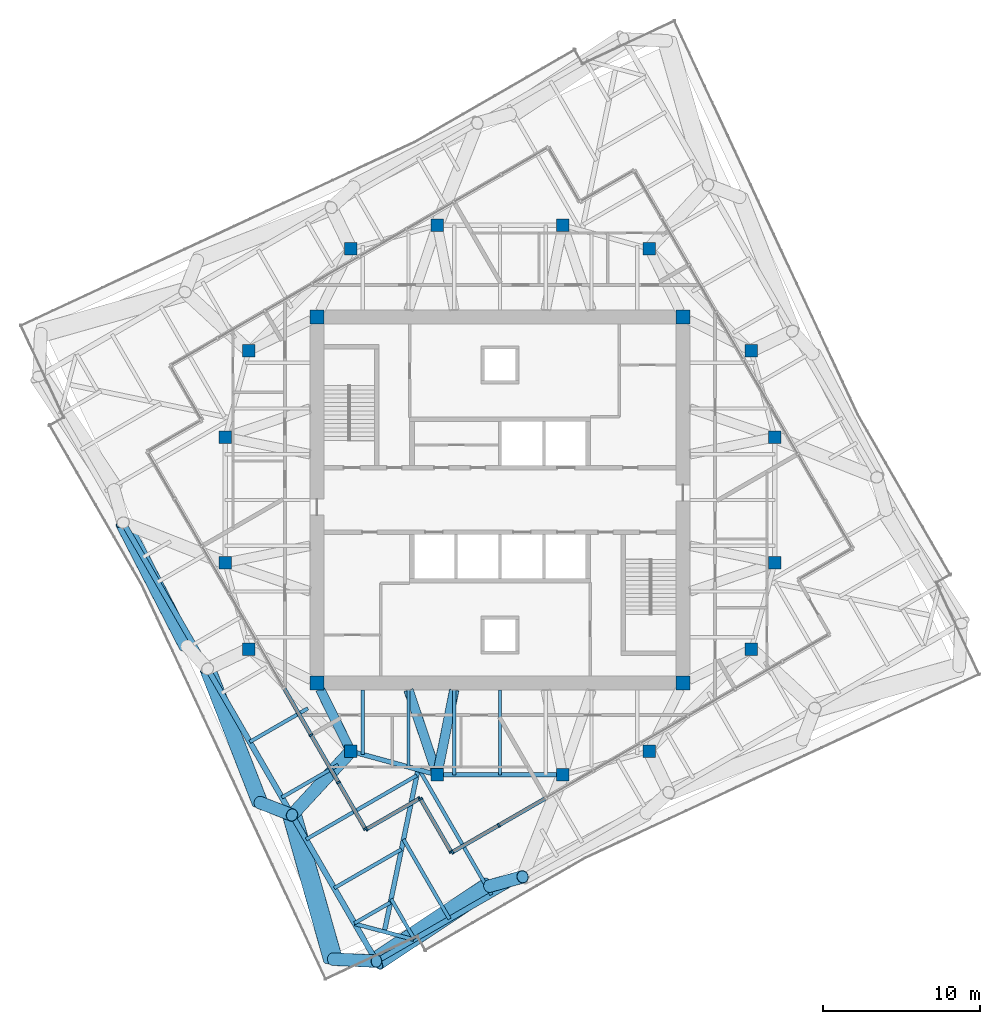
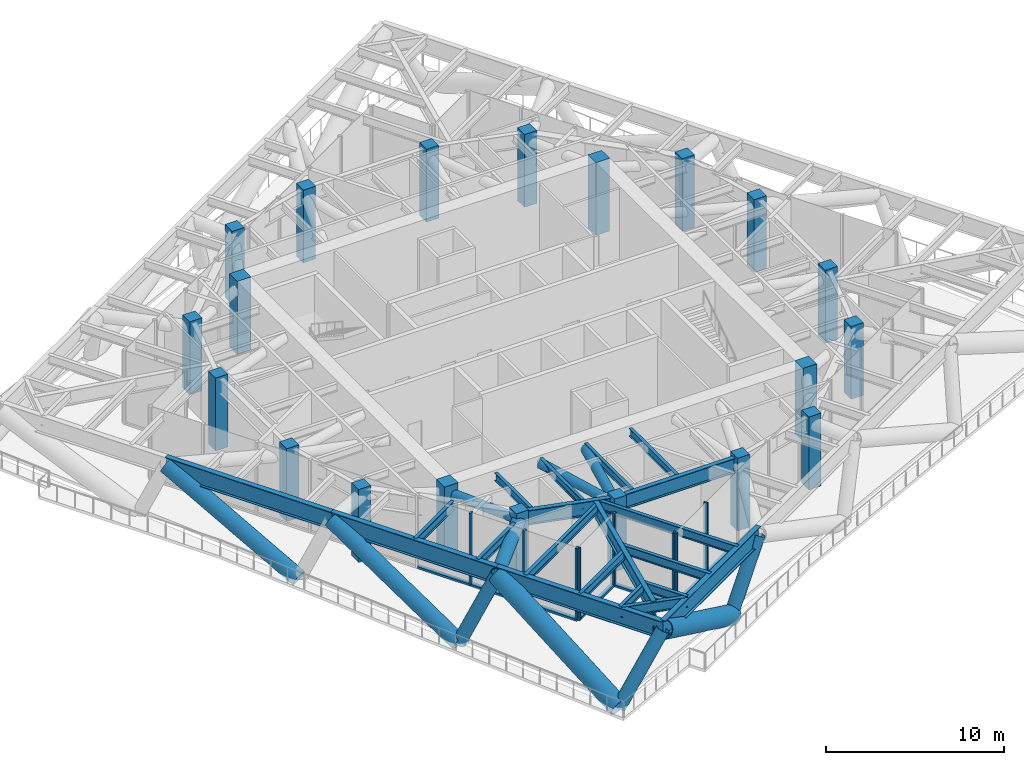
# One storey, part 1 of 12: 27 members, 20 beams, 20 columns, 4 elements without a shape of their own.
"""IFC4 building model written with IfcOpenShell, lengths in metres."""

from ifc_helpers import new_model, si_unit, direction, frame, origin, origin_2d, place, context, subcontext, project, spatial, rectangle, hollow_circle, i_section, extrude, material, material_profile, profile_set, type_object, element, aggregate, save


model = new_model("IFC4")

# Units and contexts
model_context = context("Model", 3, precision=1e-05, world=origin(), true_north=direction((0.0, 1.0)))
body_context = subcontext(model_context, "Body", "Model", "MODEL_VIEW")
ifc_project = project(units=[si_unit("LENGTHUNIT", "METRE"), si_unit("AREAUNIT", "SQUARE_METRE"), si_unit("VOLUMEUNIT", "CUBIC_METRE"), si_unit("PLANEANGLEUNIT", "RADIAN"), si_unit("MASSUNIT", "GRAM", prefix="KILO")], contexts=[model_context])

# Site, building, storey
site_placement = place(None, origin())
site = spatial("IfcSite", under=ifc_project, at=site_placement, CompositionType="ELEMENT")
building_placement = place(site_placement, origin())
building = spatial("IfcBuilding", under=site, at=building_placement, Name="Torsade Residences", CompositionType="ELEMENT")
storey_placement = place(building_placement, frame((0.0, 0.0, 203.199951171875)))
storey = spatial("IfcBuildingStorey", under=building, at=storey_placement, Name="L56", CompositionType="ELEMENT", Elevation=203.199951171875)

# Columns
ifc_material_1 = material(Name="Concrete 80 MPa", Category="concrete")
ifc_material_profile_1 = material_profile(ifc_material_1, rectangle(XDim=0.89990234375, YDim=0.89990234375, at=origin_2d()), Name="RC 900x900")
ifc_profile_set_1 = profile_set([ifc_material_profile_1], Name="Concrete 80 MPa")
column_type_1 = type_object("IfcColumnType", Name="CORE CORNER COLUMN RC 900x900", PredefinedType="COLUMN", material=ifc_profile_set_1)
for number, where, z_axis, x_axis, name in (
    (1, (28.35009765625, 18.35009765625, 0.0), (0.0, 0.0, 1.0), (1.0, 0.0, 0.0), "Core corner column CC1 L56"),
    (2, (51.64990234375, 18.35009765625, 0.0), (0.0, 0.0, 1.0), (1.0, 0.0, 0.0), "Core corner column CC2 L56"),
    (3, (51.64990234375, 41.64990234375, 0.0), (0.0, 0.0, 1.0), (1.0, 0.0, 0.0), "Core corner column CC3 L56"),
    (4, (28.35009765625, 41.64990234375, 0.0), (0.0, 0.0, 1.0), (1.0, 0.0, 0.0), "Core corner column CC4 L56"),
):
    element("IfcColumn", number, at=place(storey_placement, frame(where, z_axis=z_axis, x_axis=x_axis)), inside=storey, type_object=column_type_1, Name=name, PredefinedType="COLUMN", context=body_context, shape_type="SweptSolid", body=[
        extrude(rectangle(XDim=0.89990234375, YDim=0.89990234375, at=origin_2d()), origin(), (0.0, 0.0, 1.0), 5.0),
    ])
ifc_material_2 = material(Name="Concrete 80 MPa", Category="concrete")
ifc_material_profile_2 = material_profile(ifc_material_2, rectangle(XDim=0.800048828125, YDim=0.800048828125, at=origin_2d()), Name="RC 800x800")
ifc_profile_set_2 = profile_set([ifc_material_profile_2], Name="Concrete 80 MPa")
column_type_2 = type_object("IfcColumnType", Name="INNER RING COLUMN RC 800x800", PredefinedType="COLUMN", material=ifc_profile_set_2)
for number, where, z_axis, x_axis, name in (
    (5, (57.5, 26.0, 0.0), (0.0, 0.0, 1.0), (1.0, 0.0, 0.0), "Inner ring column IR01 L56"),
    (6, (57.5, 34.0, 0.0), (0.0, 0.0, 1.0), (1.0, 0.0, 0.0), "Inner ring column IR02 L56"),
    (7, (56.0, 39.5, 0.0), (0.0, 0.0, 1.0), (1.0, 0.0, 0.0), "Inner ring column IR03 L56"),
    (8, (49.5, 46.0, 0.0), (0.0, 0.0, 1.0), (1.0, 0.0, 0.0), "Inner ring column IR04 L56"),
    (9, (44.0, 47.5, 0.0), (0.0, 0.0, 1.0), (1.0, 0.0, 0.0), "Inner ring column IR05 L56"),
    (10, (36.0, 47.5, 0.0), (0.0, 0.0, 1.0), (1.0, 0.0, 0.0), "Inner ring column IR06 L56"),
    (11, (30.5, 46.0, 0.0), (0.0, 0.0, 1.0), (1.0, 0.0, 0.0), "Inner ring column IR07 L56"),
    (12, (24.0, 39.5, 0.0), (0.0, 0.0, 1.0), (1.0, 0.0, 0.0), "Inner ring column IR08 L56"),
    (13, (22.5, 34.0, 0.0), (0.0, 0.0, 1.0), (1.0, 0.0, 0.0), "Inner ring column IR09 L56"),
    (14, (22.5, 26.0, 0.0), (0.0, 0.0, 1.0), (1.0, 0.0, 0.0), "Inner ring column IR10 L56"),
    (15, (24.0, 20.5, 0.0), (0.0, 0.0, 1.0), (1.0, 0.0, 0.0), "Inner ring column IR11 L56"),
    (16, (30.5, 14.0, 0.0), (0.0, 0.0, 1.0), (1.0, 0.0, 0.0), "Inner ring column IR12 L56"),
    (17, (36.0, 12.5, 0.0), (0.0, 0.0, 1.0), (1.0, 0.0, 0.0), "Inner ring column IR13 L56"),
    (18, (44.0, 12.5, 0.0), (0.0, 0.0, 1.0), (1.0, 0.0, 0.0), "Inner ring column IR14 L56"),
    (19, (49.5, 14.0, 0.0), (0.0, 0.0, 1.0), (1.0, 0.0, 0.0), "Inner ring column IR15 L56"),
    (20, (56.0, 20.5, 0.0), (0.0, 0.0, 1.0), (1.0, 0.0, 0.0), "Inner ring column IR16 L56"),
):
    element("IfcColumn", number, at=place(storey_placement, frame(where, z_axis=z_axis, x_axis=x_axis)), inside=storey, type_object=column_type_2, Name=name, PredefinedType="COLUMN", context=body_context, shape_type="SweptSolid", body=[
        extrude(rectangle(XDim=0.800048828125, YDim=0.800048828125, at=origin_2d()), origin(), (0.0, 0.0, 1.0), 5.0),
    ])

# Beams
ifc_material_3 = material(Name="Steel grade 300", Category="steel")
ifc_material_profile_3 = material_profile(ifc_material_3, i_section(OverallWidth=0.300048828125, OverallDepth=1.0, WebThickness=0.01611328125, FlangeThickness=0.028076171875, at=origin_2d()), Name="1000WB215")
ifc_profile_set_3 = profile_set([ifc_material_profile_3], Name="Steel grade 300")
beam_type_1 = type_object("IfcBeamType", Name="CORNER GIRDER 1000WB215", PredefinedType="BEAM", material=ifc_profile_set_3)
beam_1_placement = place(storey_placement, frame((32.6337890625, 2.5087890625, 4.35009765625), z_axis=(0.203443862654, 0.979086612486, 0.0), x_axis=(-0.979086612486, 0.203443862654, 0.0)))
element("IfcBeam", 21, at=beam_1_placement, inside=storey, type_object=beam_type_1, Name="Corner girder 01 L57", PredefinedType="BEAM", context=body_context, shape_type="SweptSolid", body=[
    extrude(i_section(OverallWidth=0.300048828125, OverallDepth=1.0, WebThickness=0.01611328125, FlangeThickness=0.028076171875, at=origin_2d()), origin(), (0.0, 0.0, 1.0), 10.544677734375),
])
ifc_material_4 = material(Name="Steel grade 300", Category="steel")
ifc_material_profile_4 = material_profile(ifc_material_4, i_section(OverallWidth=0.25, OverallDepth=0.699951171875, WebThickness=0.010009765625, FlangeThickness=0.02001953125, at=origin_2d()), Name="700WB130")
ifc_profile_set_4 = profile_set([ifc_material_profile_4], Name="Steel grade 300")
beam_type_2 = type_object("IfcBeamType", Name="CORNER TRIMMER 700WB130", PredefinedType="BEAM", material=ifc_profile_set_4)
beam_2_placement = place(storey_placement, frame((34.511962890625, 2.00537109375, 4.5), z_axis=(-0.965924794002, 0.258822897619, 0.0), x_axis=(-0.258822897619, -0.965924794002, 0.0)))
element("IfcBeam", 22, at=beam_2_placement, inside=storey, type_object=beam_type_2, Name="Corner trimmer 01 L57", PredefinedType="BEAM", context=body_context, shape_type="SweptSolid", body=[
    extrude(i_section(OverallWidth=0.25, OverallDepth=0.699951171875, WebThickness=0.010009765625, FlangeThickness=0.02001953125, at=origin_2d()), origin(), (0.0, 0.0, 1.0), 3.88916015625),
])

# Curtain wall, members
ifc_material_5 = material(Name="Aluminium and glass", Category="aluminium")
curtain_wall_type = type_object("IfcCurtainWallType", Name="TRANSFER LEVEL CURTAIN WALL HIGH ZONE", PredefinedType="NOTDEFINED", material=ifc_material_5)
curtain_wall_1_placement = place(storey_placement, origin())
curtain_wall_1 = element("IfcCurtainWall", 23, at=curtain_wall_1_placement, inside=storey, type_object=curtain_wall_type, Name="Curtain wall L56 face 1", PredefinedType="NOTDEFINED")
ifc_material_6 = material(Name="Aluminium mullion", Category="aluminium")
ifc_material_profile_5 = material_profile(ifc_material_6, rectangle(XDim=0.25, YDim=0.1201171875, at=origin_2d()), Name="HIGH ZONE TRANSFER CURTAIN WALL MULLION 250x120")
ifc_profile_set_5 = profile_set([ifc_material_profile_5], Name="Aluminium mullion")
member_type_1 = type_object("IfcMemberType", Name="HIGH ZONE TRANSFER CURTAIN WALL MULLION 250x120", PredefinedType="MULLION", material=ifc_profile_set_5)
member_1_placement = place(storey_placement, frame((36.964111328125, 7.578125, 0.0), z_axis=(0.0, 0.0, 1.0), x_axis=(-0.500000003507, 0.86602540176, 0.0)))
member_1 = element("IfcMember", 24, at=member_1_placement, type_object=member_type_1, Name="Mullion 1", PredefinedType="MULLION", context=body_context, shape_type="SweptSolid", body=[
    extrude(rectangle(XDim=0.25, YDim=0.1201171875, at=origin_2d()), origin(), (0.0, 0.0, 1.0), 5.0),
])
member_2_placement = place(storey_placement, frame((39.921630859375, 9.28564453125, 0.0), z_axis=(0.0, 0.0, 1.0), x_axis=(-0.500000003507, 0.86602540176, 0.0)))
member_2 = element("IfcMember", 25, at=member_2_placement, type_object=member_type_1, Name="Mullion 2", PredefinedType="MULLION", context=body_context, shape_type="SweptSolid", body=[
    extrude(rectangle(XDim=0.25, YDim=0.1201171875, at=origin_2d()), origin(), (0.0, 0.0, 1.0), 5.0),
])

curtain_wall_2_placement = place(storey_placement, origin())
curtain_wall_2 = element("IfcCurtainWall", 26, at=curtain_wall_2_placement, inside=storey, type_object=curtain_wall_type, Name="Curtain wall L56 face 10", PredefinedType="NOTDEFINED")
member_3_placement = place(storey_placement, frame((27.97314453125, 15.031005859375, 0.0), z_axis=(0.0, 0.0, 1.0), x_axis=(0.86602540176, 0.500000003507, 0.0)))
member_3 = element("IfcMember", 27, at=member_3_placement, type_object=member_type_1, Name="Mullion 7", PredefinedType="MULLION", context=body_context, shape_type="SweptSolid", body=[
    extrude(rectangle(XDim=0.25, YDim=0.1201171875, at=origin_2d()), origin(), (0.0, 0.0, 1.0), 5.0),
])
member_4_placement = place(storey_placement, frame((29.710693359375, 12.021728515625, 0.0), z_axis=(0.0, 0.0, 1.0), x_axis=(0.86602540176, 0.500000003507, 0.0)))
member_4 = element("IfcMember", 28, at=member_4_placement, type_object=member_type_1, Name="Mullion 8", PredefinedType="MULLION", context=body_context, shape_type="SweptSolid", body=[
    extrude(rectangle(XDim=0.25, YDim=0.1201171875, at=origin_2d()), origin(), (0.0, 0.0, 1.0), 5.0),
])
member_5_placement = place(storey_placement, frame((31.418212890625, 9.064208984375, 0.0), z_axis=(0.0, 0.0, 1.0), x_axis=(0.86602540176, 0.500000003507, 0.0)))
member_5 = element("IfcMember", 29, at=member_5_placement, type_object=member_type_1, Name="Mullion 9", PredefinedType="MULLION", context=body_context, shape_type="SweptSolid", body=[
    extrude(rectangle(XDim=0.25, YDim=0.1201171875, at=origin_2d()), origin(), (0.0, 0.0, 1.0), 5.0),
])

curtain_wall_3_placement = place(storey_placement, origin())
curtain_wall_3 = element("IfcCurtainWall", 30, at=curtain_wall_3_placement, inside=storey, type_object=curtain_wall_type, Name="Curtain wall L56 face 11", PredefinedType="NOTDEFINED")
member_6_placement = place(storey_placement, frame((31.5, 9.042236328125, 0.0), z_axis=(0.0, 0.0, 1.0), x_axis=(-0.499999958343, 0.866025427835, 0.0)))
member_6 = element("IfcMember", 31, at=member_6_placement, type_object=member_type_1, Name="Mullion 1", PredefinedType="MULLION", context=body_context, shape_type="SweptSolid", body=[
    extrude(rectangle(XDim=0.25, YDim=0.1201171875, at=origin_2d()), origin(), (0.0, 0.0, 1.0), 5.0),
])
member_7_placement = place(storey_placement, frame((34.8603515625, 10.982177734375, 0.0), z_axis=(0.0, 0.0, 1.0), x_axis=(-0.499999958343, 0.866025427835, 0.0)))
member_7 = element("IfcMember", 32, at=member_7_placement, type_object=member_type_1, Name="Mullion 2", PredefinedType="MULLION", context=body_context, shape_type="SweptSolid", body=[
    extrude(rectangle(XDim=0.25, YDim=0.1201171875, at=origin_2d()), origin(), (0.0, 0.0, 1.0), 5.0),
])

curtain_wall_4_placement = place(storey_placement, origin())
curtain_wall_4 = element("IfcCurtainWall", 33, at=curtain_wall_4_placement, inside=storey, type_object=curtain_wall_type, Name="Curtain wall L56 face 12", PredefinedType="NOTDEFINED")
member_8_placement = place(storey_placement, frame((34.942138671875, 10.960205078125, 0.0), z_axis=(0.0, 0.0, 1.0), x_axis=(0.866025427835, 0.499999958343, 0.0)))
member_8 = element("IfcMember", 34, at=member_8_placement, type_object=member_type_1, Name="Mullion 1", PredefinedType="MULLION", context=body_context, shape_type="SweptSolid", body=[
    extrude(rectangle(XDim=0.25, YDim=0.1201171875, at=origin_2d()), origin(), (0.0, 0.0, 1.0), 5.0),
])
member_9_placement = place(storey_placement, frame((36.88232421875, 7.60009765625, 0.0), z_axis=(0.0, 0.0, 1.0), x_axis=(0.866025427835, 0.499999958343, 0.0)))
member_9 = element("IfcMember", 35, at=member_9_placement, type_object=member_type_1, Name="Mullion 2", PredefinedType="MULLION", context=body_context, shape_type="SweptSolid", body=[
    extrude(rectangle(XDim=0.25, YDim=0.1201171875, at=origin_2d()), origin(), (0.0, 0.0, 1.0), 5.0),
])

# Member
ifc_material_7 = material(Name="Aluminium transom", Category="aluminium")
ifc_material_profile_6 = material_profile(ifc_material_7, rectangle(XDim=0.25, YDim=0.139892578125, at=origin_2d()), Name="HIGH ZONE TRANSFER CURTAIN WALL TRANSOM 250x140")
ifc_profile_set_6 = profile_set([ifc_material_profile_6], Name="Aluminium transom")
member_type_2 = type_object("IfcMemberType", Name="HIGH ZONE TRANSFER CURTAIN WALL TRANSOM 250x140", PredefinedType="USERDEFINED", material=ifc_profile_set_6)
member_10_placement = place(storey_placement, frame((37.01611328125, 7.608154296875, 0.070068359375), z_axis=(0.866027647951, 0.499996112969, 0.0), x_axis=(-0.499996112969, 0.866027647951, 0.0)))
member_10 = element("IfcMember", 36, at=member_10_placement, type_object=member_type_2, Name="Transom 1.1", ObjectType="TRANSOM", PredefinedType="USERDEFINED", context=body_context, shape_type="SweptSolid", body=[
    extrude(rectangle(XDim=0.25, YDim=0.139892578125, at=origin_2d()), origin(), (0.0, 0.0, 1.0), 3.294921875),
])

member_11_placement = place(storey_placement, frame((39.9736328125, 9.315673828125, 0.070068359375), z_axis=(0.866026839176, 0.499997513821, 0.0), x_axis=(-0.499997513821, 0.866026839176, 0.0)))
member_11 = element("IfcMember", 37, at=member_11_placement, type_object=member_type_2, Name="Transom 2.1", ObjectType="TRANSOM", PredefinedType="USERDEFINED", context=body_context, shape_type="SweptSolid", body=[
    extrude(rectangle(XDim=0.25, YDim=0.139892578125, at=origin_2d()), origin(), (0.0, 0.0, 1.0), 3.35498046875),
])

aggregate(curtain_wall_1, [member_1, member_2, member_10, member_11])

member_12_placement = place(storey_placement, frame((26.265625, 17.988525390625, 0.070068359375), z_axis=(0.499997513821, -0.866026839176, 0.0), x_axis=(0.866026839176, 0.499997513821, 0.0)))
member_12 = element("IfcMember", 38, at=member_12_placement, type_object=member_type_2, Name="Transom 6.1", ObjectType="TRANSOM", PredefinedType="USERDEFINED", context=body_context, shape_type="SweptSolid", body=[
    extrude(rectangle(XDim=0.25, YDim=0.139892578125, at=origin_2d()), origin(), (0.0, 0.0, 1.0), 3.35498046875),
])

member_13_placement = place(storey_placement, frame((28.003173828125, 14.979248046875, 0.070068359375), z_axis=(0.499997513821, -0.866026839176, 0.0), x_axis=(0.866026839176, 0.499997513821, 0.0)))
member_13 = element("IfcMember", 39, at=member_13_placement, type_object=member_type_2, Name="Transom 7.1", ObjectType="TRANSOM", PredefinedType="USERDEFINED", context=body_context, shape_type="SweptSolid", body=[
    extrude(rectangle(XDim=0.25, YDim=0.139892578125, at=origin_2d()), origin(), (0.0, 0.0, 1.0), 3.35498046875),
])

member_14_placement = place(storey_placement, frame((29.74072265625, 11.9697265625, 0.070068359375), z_axis=(0.499996112969, -0.866027647951, 0.0), x_axis=(0.866027647951, 0.499996112969, 0.0)))
member_14 = element("IfcMember", 40, at=member_14_placement, type_object=member_type_2, Name="Transom 8.1", ObjectType="TRANSOM", PredefinedType="USERDEFINED", context=body_context, shape_type="SweptSolid", body=[
    extrude(rectangle(XDim=0.25, YDim=0.139892578125, at=origin_2d()), origin(), (0.0, 0.0, 1.0), 3.294921875),
])

aggregate(curtain_wall_2, [member_3, member_4, member_5, member_12, member_13, member_14])

member_15_placement = place(storey_placement, frame((31.552001953125, 9.072265625, 0.070068359375), z_axis=(0.866045024864, 0.499966013754, 0.0), x_axis=(-0.499966013754, 0.866045024864, 0.0)))
member_15 = element("IfcMember", 41, at=member_15_placement, type_object=member_type_2, Name="Transom 1.1", ObjectType="TRANSOM", PredefinedType="USERDEFINED", context=body_context, shape_type="SweptSolid", body=[
    extrude(rectangle(XDim=0.25, YDim=0.139892578125, at=origin_2d()), origin(), (0.0, 0.0, 1.0), 3.760009765625),
])

aggregate(curtain_wall_3, [member_6, member_7, member_15])

member_16_placement = place(storey_placement, frame((34.97216796875, 10.908203125, 0.070068359375), z_axis=(0.50004282833, -0.866000675424, 0.0), x_axis=(0.866000675424, 0.50004282833, 0.0)))
member_16 = element("IfcMember", 42, at=member_16_placement, type_object=member_type_2, Name="Transom 1.1", ObjectType="TRANSOM", PredefinedType="USERDEFINED", context=body_context, shape_type="SweptSolid", body=[
    extrude(rectangle(XDim=0.25, YDim=0.139892578125, at=origin_2d()), origin(), (0.0, 0.0, 1.0), 3.760009765625),
])

aggregate(curtain_wall_4, [member_8, member_9, member_16])

# Beams
ifc_material_8 = material(Name="Steel grade 300", Category="steel")
ifc_material_profile_7 = material_profile(ifc_material_8, i_section(OverallWidth=0.208984375, OverallDepth=0.528076171875, WebThickness=0.009521484375, FlangeThickness=0.01318359375, FilletRadius=0.013916015625, at=origin_2d()), Name="530UB82.0")
ifc_profile_set_7 = profile_set([ifc_material_profile_7], Name="Steel grade 300")
beam_type_3 = type_object("IfcBeamType", Name="INNER FLOOR BEAM 530UB82.0", PredefinedType="JOIST", material=ifc_profile_set_7)
for number, where, z_axis, x_axis, name in (
    (43, (40.0, 17.89990234375, 4.5859375), (0.0, -1.0, 0.0), (1.0, 0.0, 0.0), "Inner floor beam IS04 L57"),
    (44, (37.08740234375, 17.89990234375, 4.5859375), (0.0, -1.0, 0.0), (1.0, 0.0, 0.0), "Inner floor beam IS05 L57"),
):
    element("IfcBeam", number, at=place(storey_placement, frame(where, z_axis=z_axis, x_axis=x_axis)), inside=storey, type_object=beam_type_3, Name=name, PredefinedType="JOIST", context=body_context, shape_type="SweptSolid", body=[
        extrude(i_section(OverallWidth=0.208984375, OverallDepth=0.528076171875, WebThickness=0.009521484375, FlangeThickness=0.01318359375, FilletRadius=0.013916015625, at=origin_2d()), origin(), (0.0, 0.0, 1.0), 5.39990234375),
    ])
beam_3_placement = place(storey_placement, frame((34.175048828125, 17.89990234375, 4.5859375), z_axis=(0.0, -1.0, 0.0), x_axis=(1.0, 0.0, 0.0)))
element("IfcBeam", 45, at=beam_3_placement, inside=storey, type_object=beam_type_3, Name="Inner floor beam IS06 L57", PredefinedType="JOIST", context=body_context, shape_type="SweptSolid", body=[
    extrude(i_section(OverallWidth=0.208984375, OverallDepth=0.528076171875, WebThickness=0.009521484375, FlangeThickness=0.01318359375, FilletRadius=0.013916015625, at=origin_2d()), origin(), (0.0, 0.0, 1.0), 4.902099609375),
])
beam_4_placement = place(storey_placement, frame((31.262451171875, 17.89990234375, 4.5859375), z_axis=(0.0, -1.0, 0.0), x_axis=(1.0, 0.0, 0.0)))
element("IfcBeam", 46, at=beam_4_placement, inside=storey, type_object=beam_type_3, Name="Inner floor beam IS07 L57", PredefinedType="JOIST", context=body_context, shape_type="SweptSolid", body=[
    extrude(i_section(OverallWidth=0.208984375, OverallDepth=0.528076171875, WebThickness=0.009521484375, FlangeThickness=0.01318359375, FilletRadius=0.013916015625, at=origin_2d()), origin(), (0.0, 0.0, 1.0), 4.10791015625),
])
ifc_material_9 = material(Name="Steel grade 300", Category="steel")
ifc_material_profile_8 = material_profile(ifc_material_9, i_section(OverallWidth=0.300048828125, OverallDepth=1.0, WebThickness=0.01611328125, FlangeThickness=0.028076171875, at=origin_2d()), Name="1000WB215")
ifc_profile_set_8 = profile_set([ifc_material_profile_8], Name="Steel grade 300")
beam_type_4 = type_object("IfcBeamType", Name="RING GIRDER 1000WB215", PredefinedType="BEAM", material=ifc_profile_set_8)
beam_5_placement = place(storey_placement, frame((30.5, 14.0, 4.35009765625), z_axis=(0.964763821238, -0.263117405792, 0.0), x_axis=(0.263117405792, 0.964763821238, 0.0)))
element("IfcBeam", 47, at=beam_5_placement, inside=storey, type_object=beam_type_4, Name="Ring girder IR12 L57", PredefinedType="BEAM", context=body_context, shape_type="SweptSolid", body=[
    extrude(i_section(OverallWidth=0.300048828125, OverallDepth=1.0, WebThickness=0.01611328125, FlangeThickness=0.028076171875, at=origin_2d()), origin(), (0.0, 0.0, 1.0), 5.700927734375),
])
beam_6_placement = place(storey_placement, frame((36.0, 12.5, 4.35009765625), z_axis=(1.0, 0.0, 0.0), x_axis=(0.0, 1.0, 0.0)))
element("IfcBeam", 48, at=beam_6_placement, inside=storey, type_object=beam_type_4, Name="Ring girder IR13 L57", PredefinedType="BEAM", context=body_context, shape_type="SweptSolid", body=[
    extrude(i_section(OverallWidth=0.300048828125, OverallDepth=1.0, WebThickness=0.01611328125, FlangeThickness=0.028076171875, at=origin_2d()), origin(), (0.0, 0.0, 1.0), 8.0),
])
ifc_material_10 = material(Name="Steel grade 300", Category="steel")
ifc_material_profile_9 = material_profile(ifc_material_10, i_section(OverallWidth=0.22900390625, OverallDepth=0.612060546875, WebThickness=0.011962890625, FlangeThickness=0.01953125, FilletRadius=0.013916015625, at=origin_2d()), Name="610UB125")
ifc_profile_set_9 = profile_set([ifc_material_profile_9], Name="Steel grade 300")
beam_type_5 = type_object("IfcBeamType", Name="SECONDARY BEAM 610UB125", PredefinedType="JOIST", material=ifc_profile_set_9)
beam_7_placement = place(storey_placement, frame((34.548095703125, 2.0263671875, 4.5439453125), z_axis=(-0.500003007852, 0.866023667193, 0.0), x_axis=(-0.866023667193, -0.500003007852, 0.0)))
element("IfcBeam", 49, at=beam_7_placement, inside=storey, type_object=beam_type_5, Name="Floor beam FS01 L57", PredefinedType="JOIST", context=body_context, shape_type="SweptSolid", body=[
    extrude(i_section(OverallWidth=0.22900390625, OverallDepth=0.612060546875, WebThickness=0.011962890625, FlangeThickness=0.01953125, FilletRadius=0.013916015625, at=origin_2d()), origin(), (0.0, 0.0, 1.0), 2.962890625),
])
beam_8_placement = place(storey_placement, frame((36.785400390625, 3.31787109375, 4.5439453125), z_axis=(-0.49998458238, 0.866034304969, 0.0), x_axis=(-0.866034304969, -0.49998458238, 0.0)))
element("IfcBeam", 50, at=beam_8_placement, inside=storey, type_object=beam_type_5, Name="Floor beam FS02 L57", PredefinedType="JOIST", context=body_context, shape_type="SweptSolid", body=[
    extrude(i_section(OverallWidth=0.22900390625, OverallDepth=0.612060546875, WebThickness=0.011962890625, FlangeThickness=0.01953125, FilletRadius=0.013916015625, at=origin_2d()), origin(), (0.0, 0.0, 1.0), 5.858642578125),
])
beam_9_placement = place(storey_placement, frame((39.45556640625, 4.859619140625, 4.5439453125), z_axis=(-0.500006393711, 0.866021712342, 0.0), x_axis=(-0.866021712342, -0.500006393711, 0.0)))
element("IfcBeam", 51, at=beam_9_placement, inside=storey, type_object=beam_type_5, Name="Floor beam FS03 L57", PredefinedType="JOIST", context=body_context, shape_type="SweptSolid", body=[
    extrude(i_section(OverallWidth=0.22900390625, OverallDepth=0.612060546875, WebThickness=0.011962890625, FlangeThickness=0.01953125, FilletRadius=0.013916015625, at=origin_2d()), origin(), (0.0, 0.0, 1.0), 9.1796875),
])
beam_10_placement = place(storey_placement, frame((24.06787109375, 14.59521484375, 4.5439453125), z_axis=(0.866022880939, 0.500004369671, 0.0), x_axis=(-0.500004369671, 0.866022880939, 0.0)))
element("IfcBeam", 52, at=beam_10_placement, inside=storey, type_object=beam_type_5, Name="Floor beam FW08 L57", PredefinedType="JOIST", context=body_context, shape_type="SweptSolid", body=[
    extrude(i_section(OverallWidth=0.22900390625, OverallDepth=0.612060546875, WebThickness=0.011962890625, FlangeThickness=0.01953125, FilletRadius=0.013916015625, at=origin_2d()), origin(), (0.0, 0.0, 1.0), 4.27294921875),
])
beam_11_placement = place(storey_placement, frame((26.109619140625, 11.058837890625, 4.5439453125), z_axis=(0.866037435306, 0.499979160215, 0.0), x_axis=(-0.499979160215, 0.866037435306, 0.0)))
element("IfcBeam", 53, at=beam_11_placement, inside=storey, type_object=beam_type_5, Name="Floor beam FW09 L57", PredefinedType="JOIST", context=body_context, shape_type="SweptSolid", body=[
    extrude(i_section(OverallWidth=0.22900390625, OverallDepth=0.612060546875, WebThickness=0.011962890625, FlangeThickness=0.01953125, FilletRadius=0.013916015625, at=origin_2d()), origin(), (0.0, 0.0, 1.0), 4.143798828125),
])
beam_12_placement = place(storey_placement, frame((27.6513671875, 8.388671875, 4.5439453125), z_axis=(0.866019772443, 0.500009753642, 0.0), x_axis=(-0.500009753642, 0.866019772443, 0.0)))
element("IfcBeam", 54, at=beam_12_placement, inside=storey, type_object=beam_type_5, Name="Floor beam FW10 L57", PredefinedType="JOIST", context=body_context, shape_type="SweptSolid", body=[
    extrude(i_section(OverallWidth=0.22900390625, OverallDepth=0.612060546875, WebThickness=0.011962890625, FlangeThickness=0.01953125, FilletRadius=0.013916015625, at=origin_2d()), origin(), (0.0, 0.0, 1.0), 8.140380859375),
])
beam_13_placement = place(storey_placement, frame((29.44287109375, 5.285400390625, 4.5439453125), z_axis=(0.866046608779, 0.499963270073, 0.0), x_axis=(-0.499963270073, 0.866046608779, 0.0)))
element("IfcBeam", 55, at=beam_13_placement, inside=storey, type_object=beam_type_5, Name="Floor beam FW11 L57", PredefinedType="JOIST", context=body_context, shape_type="SweptSolid", body=[
    extrude(i_section(OverallWidth=0.22900390625, OverallDepth=0.612060546875, WebThickness=0.011962890625, FlangeThickness=0.01953125, FilletRadius=0.013916015625, at=origin_2d()), origin(), (0.0, 0.0, 1.0), 4.943603515625),
])
beam_14_placement = place(storey_placement, frame((30.734619140625, 3.048095703125, 4.5439453125), z_axis=(0.866008413041, 0.500029427677, 0.0), x_axis=(-0.500029427677, 0.866008413041, 0.0)))
element("IfcBeam", 56, at=beam_14_placement, inside=storey, type_object=beam_type_5, Name="Floor beam FW12 L57", PredefinedType="JOIST", context=body_context, shape_type="SweptSolid", body=[
    extrude(i_section(OverallWidth=0.22900390625, OverallDepth=0.612060546875, WebThickness=0.011962890625, FlangeThickness=0.01953125, FilletRadius=0.013916015625, at=origin_2d()), origin(), (0.0, 0.0, 1.0), 2.638916015625),
])

# Members
ifc_material_11 = material(Name="Steel grade 450", Category="steel")
ifc_material_profile_10 = material_profile(ifc_material_11, hollow_circle(Radius=0.304931640625, WallThickness=0.01611328125, at=origin_2d()), Name="610.0x16.0CHS")
ifc_profile_set_10 = profile_set([ifc_material_profile_10], Name="Steel grade 450")
member_type_3 = type_object("IfcMemberType", Name="TRANSFER FLOOR BRACE 610.0x16.0CHS", PredefinedType="BRACE", material=ifc_profile_set_10)
member_17_placement = place(storey_placement, frame((30.5, 14.0, 4.25), z_axis=(-0.443105036702, 0.896469701914, 0.0), x_axis=(-0.896469701914, -0.443105036702, 0.0)))
element("IfcMember", 57, at=member_17_placement, inside=storey, type_object=member_type_3, Name="Transfer floor brace TT6 top IR12C", PredefinedType="BRACE", context=body_context, shape_type="SweptSolid", body=[
    extrude(hollow_circle(Radius=0.304931640625, WallThickness=0.01611328125, at=origin_2d()), origin(), (0.0, 0.0, 1.0), 4.40234375),
])
member_18_placement = place(storey_placement, frame((36.0, 12.5, 4.25), z_axis=(0.197299045909, 0.97976207845, 0.03375434957), x_axis=(-0.980320704809, 0.197411538983, 0.0)))
element("IfcMember", 58, at=member_18_placement, inside=storey, type_object=member_type_3, Name="Transfer floor brace TT6 top IR13IS05", PredefinedType="BRACE", context=body_context, shape_type="SweptSolid", body=[
    extrude(hollow_circle(Radius=0.304931640625, WallThickness=0.01611328125, at=origin_2d()), origin(), (0.0, 0.0, 1.0), 5.511474609375),
])
member_19_placement = place(storey_placement, frame((36.0, 12.5, 4.25), z_axis=(-0.319999474368, 0.946855969774, 0.032620682203), x_axis=(-0.947360151124, -0.320169867513, 0.0)))
element("IfcMember", 59, at=member_19_placement, inside=storey, type_object=member_type_3, Name="Transfer floor brace TT6 top IR13IS06", PredefinedType="BRACE", context=body_context, shape_type="SweptSolid", body=[
    extrude(hollow_circle(Radius=0.304931640625, WallThickness=0.01611328125, at=origin_2d()), origin(), (0.0, 0.0, 1.0), 5.702880859375),
])
ifc_material_12 = material(Name="Steel grade 450", Category="steel")
ifc_material_profile_11 = material_profile(ifc_material_12, hollow_circle(Radius=0.406494140625, WallThickness=0.02490234375, at=origin_2d()), Name="813.0x25.0CHS")
ifc_profile_set_11 = profile_set([ifc_material_profile_11], Name="Steel grade 450")
member_type_4 = type_object("IfcMemberType", Name="TRANSFER FLOOR STRUT 813.0x25.0CHS", PredefinedType="STRUT", material=ifc_profile_set_11)
member_20_placement = place(storey_placement, frame((26.75537109375, 9.940185546875, 4.25), z_axis=(0.67799731791, 0.735064376029, 0.0), x_axis=(-0.735064376029, 0.67799731791, 0.0)))
element("IfcMember", 60, at=member_20_placement, inside=storey, type_object=member_type_4, Name="Transfer floor strut TT6 top 16IR12", PredefinedType="STRUT", context=body_context, shape_type="SweptSolid", body=[
    extrude(hollow_circle(Radius=0.406494140625, WallThickness=0.02490234375, at=origin_2d()), origin(), (0.0, 0.0, 1.0), 5.523193359375),
])

# Beams
ifc_material_13 = material(Name="Steel grade 350", Category="steel")
ifc_material_profile_12 = material_profile(ifc_material_13, i_section(OverallWidth=0.35009765625, OverallDepth=1.199951171875, WebThickness=0.01611328125, FlangeThickness=0.028076171875, at=origin_2d()), Name="1200WB278")
ifc_profile_set_12 = profile_set([ifc_material_profile_12], Name="Steel grade 350")
beam_type_6 = type_object("IfcBeamType", Name="TRANSFER TRUSS CHORD 1200WB278", PredefinedType="USERDEFINED", material=ifc_profile_set_12)
for number, where, z_axis, x_axis, name in (
    (61, (32.13037109375, 0.63037109375, 4.25), (0.866026365697, 0.499998333915, 0.0), (-0.499998333915, 0.866026365697, 0.0), "Transfer truss TT6 top chord 01"),
    (62, (16.00537109375, 28.559814453125, 4.25), (0.499998333915, -0.866026365697, 0.0), (0.866026365697, 0.499998333915, 0.0), "Transfer truss TT6 top chord 14"),
    (63, (21.38037109375, 19.25, 4.25), (0.499998333915, -0.866026365697, 0.0), (0.866026365697, 0.499998333915, 0.0), "Transfer truss TT6 top chord 15"),
    (64, (26.75537109375, 9.940185546875, 4.25), (0.499998333915, -0.866026365697, 0.0), (0.866026365697, 0.499998333915, 0.0), "Transfer truss TT6 top chord 16"),
):
    element("IfcBeam", number, at=place(storey_placement, frame(where, z_axis=z_axis, x_axis=x_axis)), inside=storey, type_object=beam_type_6, Name=name, ObjectType="TRANSFER TRUSS CHORD", PredefinedType="USERDEFINED", context=body_context, shape_type="SweptSolid", body=[
        extrude(i_section(OverallWidth=0.35009765625, OverallDepth=1.199951171875, WebThickness=0.01611328125, FlangeThickness=0.028076171875, at=origin_2d()), origin(), (0.0, 0.0, 1.0), 10.75),
    ])

# Members
ifc_material_14 = material(Name="Steel grade 450", Category="steel")
ifc_material_profile_13 = material_profile(ifc_material_14, hollow_circle(Radius=0.508056640625, WallThickness=0.031982421875, at=origin_2d()), Name="1016.0x32.0CHS")
ifc_profile_set_13 = profile_set([ifc_material_profile_13], Name="Steel grade 450")
member_type_5 = type_object("IfcMemberType", Name="TRANSFER TRUSS DIAGONAL 1016.0x32.0CHS", PredefinedType="BRACE", material=ifc_profile_set_13)
member_21_placement = place(storey_placement, frame((20.061279296875, 20.702392578125, -0.199951171875), z_axis=(-0.409726294505, 0.793753750819, 0.44953236441), x_axis=(-0.888599239643, -0.458684413628, 0.0)))
element("IfcMember", 65, at=member_21_placement, inside=storey, type_object=member_type_5, Name="Transfer truss TT6 diagonal 14", PredefinedType="BRACE", context=body_context, shape_type="SweptSolid", body=[
    extrude(hollow_circle(Radius=0.508056640625, WallThickness=0.031982421875, at=origin_2d()), origin(), (0.0, 0.0, 1.0), 9.899169921875),
])
member_22_placement = place(storey_placement, frame((24.7099609375, 10.73291015625, -0.199951171875), z_axis=(-0.327393055572, 0.837471340129, 0.43755632966), x_axis=(-0.931360898978, -0.364097343928, 0.0)))
element("IfcMember", 66, at=member_22_placement, inside=storey, type_object=member_type_5, Name="Transfer truss TT6 diagonal 15", PredefinedType="BRACE", context=body_context, shape_type="SweptSolid", body=[
    extrude(hollow_circle(Radius=0.508056640625, WallThickness=0.031982421875, at=origin_2d()), origin(), (0.0, 0.0, 1.0), 10.169921875),
])
ifc_material_15 = material(Name="Steel grade 450", Category="steel")
ifc_material_profile_14 = material_profile(ifc_material_15, hollow_circle(Radius=0.609619140625, WallThickness=0.031982421875, at=origin_2d()), Name="1219.0x32.0CHS")
ifc_profile_set_14 = profile_set([ifc_material_profile_14], Name="Steel grade 450")
member_type_6 = type_object("IfcMemberType", Name="TRANSFER TRUSS DIAGONAL 1219.0x32.0CHS", PredefinedType="BRACE", material=ifc_profile_set_14)
member_23_placement = place(storey_placement, frame((39.328125, 5.412353515625, -0.199951171875), z_axis=(-0.740514823958, -0.491976930224, 0.457817098442), x_axis=(0.553375987219, -0.832931579885, 0.0)))
element("IfcMember", 67, at=member_23_placement, inside=storey, type_object=member_type_6, Name="Transfer truss TT6 diagonal 01", PredefinedType="BRACE", context=body_context, shape_type="SweptSolid", body=[
    extrude(hollow_circle(Radius=0.609619140625, WallThickness=0.031982421875, at=origin_2d()), origin(), (0.0, 0.0, 1.0), 9.719970703125),
])
member_24_placement = place(storey_placement, frame((29.35888671875, 0.763671875, -0.199951171875), z_axis=(-0.247350238422, 0.871826088855, 0.422773142884), x_axis=(-0.962030335429, -0.272942546546, 0.0)))
element("IfcMember", 68, at=member_24_placement, inside=storey, type_object=member_type_6, Name="Transfer truss TT6 diagonal 16", PredefinedType="BRACE", context=body_context, shape_type="SweptSolid", body=[
    extrude(hollow_circle(Radius=0.609619140625, WallThickness=0.031982421875, at=origin_2d()), origin(), (0.0, 0.0, 1.0), 10.525634765625),
])
ifc_material_16 = material(Name="Steel grade 450", Category="steel")
ifc_material_profile_15 = material_profile(ifc_material_16, hollow_circle(Radius=0.406494140625, WallThickness=0.02490234375, at=origin_2d()), Name="813.0x25.0CHS")
ifc_profile_set_15 = profile_set([ifc_material_profile_15], Name="Steel grade 450")
member_type_7 = type_object("IfcMemberType", Name="TRANSFER TRUSS RAKING STRUT 813.0x25.0CHS", PredefinedType="STRUT", material=ifc_profile_set_15)
member_25_placement = place(storey_placement, frame((29.35888671875, 0.763671875, -0.199951171875), z_axis=(0.528492107494, -0.025419017855, 0.848557579571), x_axis=(0.04804171514, 0.998845330172, 0.0)))
element("IfcMember", 69, at=member_25_placement, inside=storey, type_object=member_type_7, Name="Transfer truss TT6 raking strut 01", PredefinedType="STRUT", context=body_context, shape_type="SweptSolid", body=[
    extrude(hollow_circle(Radius=0.406494140625, WallThickness=0.02490234375, at=origin_2d()), origin(), (0.0, 0.0, 1.0), 5.244140625),
])
member_26_placement = place(storey_placement, frame((39.328125, 5.412353515625, -0.199951171875), z_axis=(0.425706759262, 0.119528576841, 0.896931811476), x_axis=(-0.270323353971, 0.962769590451, 0.0)))
element("IfcMember", 70, at=member_26_placement, inside=storey, type_object=member_type_7, Name="Transfer truss TT6 raking strut 02", PredefinedType="STRUT", context=body_context, shape_type="SweptSolid", body=[
    extrude(hollow_circle(Radius=0.406494140625, WallThickness=0.02490234375, at=origin_2d()), origin(), (0.0, 0.0, 1.0), 4.96142578125),
])
member_27_placement = place(storey_placement, frame((24.7099609375, 10.73291015625, -0.199951171875), z_axis=(0.412275681279, -0.159782661388, 0.896938271982), x_axis=(0.361371868486, 0.93242177831, 0.0)))
element("IfcMember", 71, at=member_27_placement, inside=storey, type_object=member_type_7, Name="Transfer truss TT6 raking strut 16", PredefinedType="STRUT", context=body_context, shape_type="SweptSolid", body=[
    extrude(hollow_circle(Radius=0.406494140625, WallThickness=0.02490234375, at=origin_2d()), origin(), (0.0, 0.0, 1.0), 4.961181640625),
])

save(model, "model.ifc")
